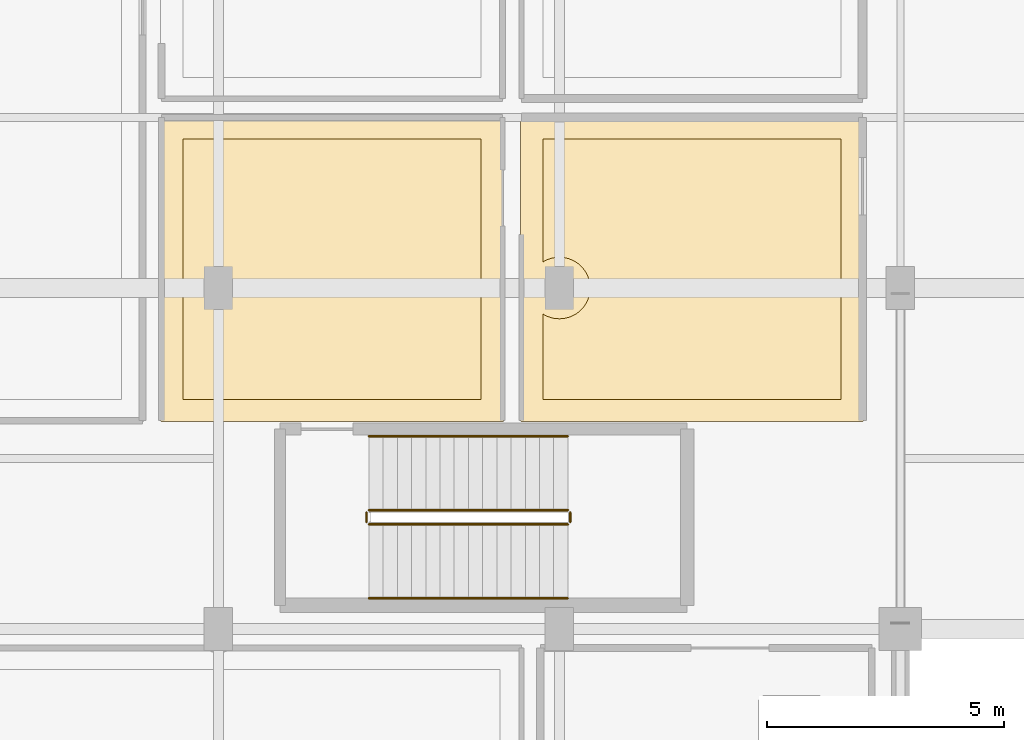
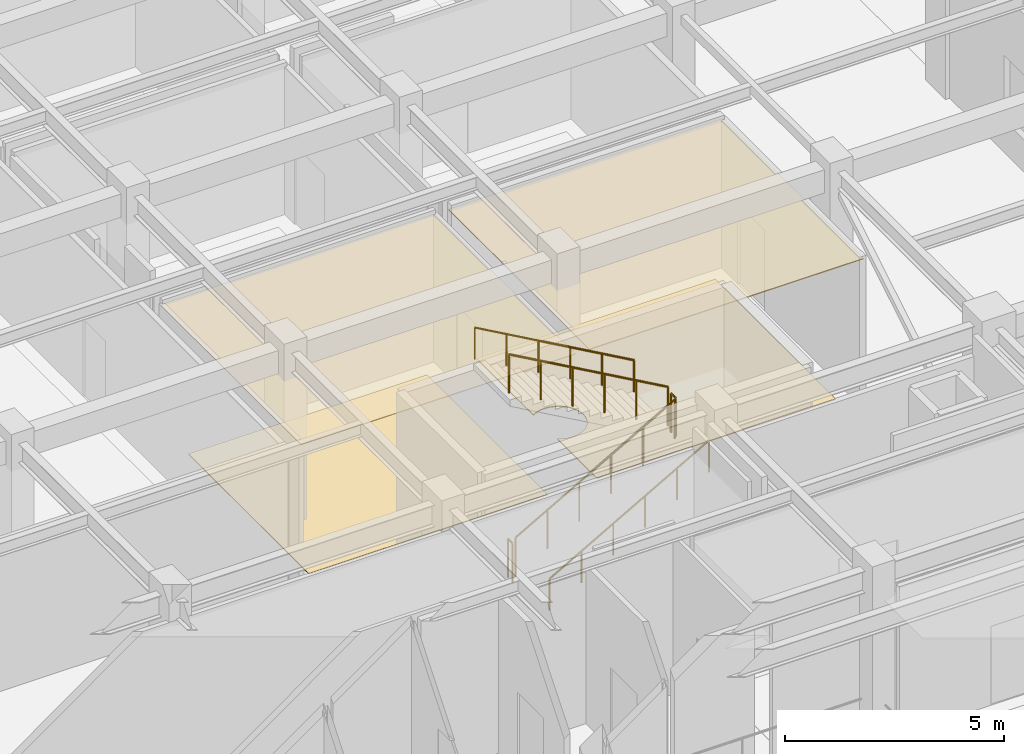
# One storey, part 104 of 117: 6 railings, 4 coverings.
"""IFC4 building model written with IfcOpenShell, lengths in metres."""

from ifc_helpers import new_model, si_unit, direction, frame, origin, origin_2d, place, context, subcontext, project, spatial, polyline, circle, outline, extrude, material, layer, layer_set, type_object, element, save


model = new_model("IFC4")

# Units and contexts
model_context = context("Model", 3, precision=1e-05, world=origin(), true_north=direction((0.0, 1.0)))
body_context = subcontext(model_context, "Body", "Model", "MODEL_VIEW")
ifc_project = project(units=[si_unit("LENGTHUNIT", "METRE"), si_unit("AREAUNIT", "SQUARE_METRE"), si_unit("VOLUMEUNIT", "CUBIC_METRE"), si_unit("PLANEANGLEUNIT", "RADIAN"), si_unit("MASSUNIT", "GRAM", prefix="KILO")], contexts=[model_context])

# Site, building, storey
site_placement = place(None, origin())
site = spatial("IfcSite", under=ifc_project, at=site_placement, CompositionType="ELEMENT")
building_placement = place(site_placement, origin())
building = spatial("IfcBuilding", under=site, at=building_placement, Name="Carrowvane Square Congress Hotel", CompositionType="ELEMENT")
storey_placement = place(building_placement, frame((0.0, 0.0, 5.39990234375)))
storey = spatial("IfcBuildingStorey", under=building, at=storey_placement, Name="L01", CompositionType="ELEMENT", Elevation=5.39990234375)

# Coverings
ifc_material_1 = material(Name="Acoustic gypsum board", Category="gypsum")
ifc_layer_1 = layer(ifc_material_1, 0.02001953125)
ifc_layer_set_1 = layer_set([ifc_layer_1], Name="Acoustic gypsum board")
covering_type_1 = type_object("IfcCoveringType", Name="COV-CLG-AC20", PredefinedType="CEILING", material=ifc_layer_set_1)
covering_1_placement = place(storey_placement, frame((0.0, 0.0, 4.045166015625)))
element("IfcCovering", 1, at=covering_1_placement, inside=storey, type_object=covering_type_1, Name="L01 Thermal Treatment Suite 101 acoustic ceiling", PredefinedType="CEILING", context=body_context, shape_type="SweptSolid", body=[
    extrude(outline(polyline([(46.380126953125, 66.60205078125), (46.38037109375, 66.60400390625), (46.380859375, 66.605712890625), (46.381591796875, 66.607666015625), (46.38232421875, 66.609375), (46.38330078125, 66.611083984375), (46.384521484375, 66.61279296875), (46.385986328125, 66.614013671875), (46.38720703125, 66.615478515625), (46.388916015625, 66.61669921875), (46.390625, 66.61767578125), (46.392333984375, 66.618408203125), (46.394287109375, 66.619140625), (46.39599609375, 66.61962890625), (46.39794921875, 66.619873046875), (46.39990234375, 66.6201171875), (53.60009765625, 66.6201171875), (53.60205078125, 66.619873046875), (53.60400390625, 66.61962890625), (53.605712890625, 66.619140625), (53.607666015625, 66.618408203125), (53.609375, 66.61767578125), (53.611083984375, 66.61669921875), (53.61279296875, 66.615478515625), (53.614013671875, 66.614013671875), (53.615478515625, 66.61279296875), (53.61669921875, 66.611083984375), (53.61767578125, 66.609375), (53.618408203125, 66.607666015625), (53.619140625, 66.605712890625), (53.61962890625, 66.60400390625), (53.619873046875, 66.60205078125), (53.6201171875, 66.60009765625), (53.6201171875, 60.199951171875), (53.619873046875, 60.197998046875), (53.61962890625, 60.196044921875), (53.619140625, 60.194091796875), (53.618408203125, 60.1923828125), (53.61767578125, 60.190673828125), (53.61669921875, 60.18896484375), (53.615478515625, 60.187255859375), (53.614013671875, 60.185791015625), (53.61279296875, 60.1845703125), (53.611083984375, 60.183349609375), (53.609375, 60.182373046875), (53.607666015625, 60.181396484375), (53.605712890625, 60.180908203125), (53.60400390625, 60.180419921875), (53.60205078125, 60.18017578125), (53.60009765625, 60.179931640625), (46.39990234375, 60.179931640625), (46.39794921875, 60.18017578125), (46.39599609375, 60.180419921875), (46.394287109375, 60.180908203125), (46.392333984375, 60.181396484375), (46.390625, 60.182373046875), (46.388916015625, 60.183349609375), (46.38720703125, 60.1845703125), (46.385986328125, 60.185791015625), (46.384521484375, 60.187255859375), (46.38330078125, 60.18896484375), (46.38232421875, 60.190673828125), (46.381591796875, 60.1923828125), (46.380859375, 60.194091796875), (46.38037109375, 60.196044921875), (46.380126953125, 60.197998046875), (46.3798828125, 60.199951171875), (46.3798828125, 66.60009765625), (46.380126953125, 66.60205078125)])), origin(), (0.0, 0.0, 1.0), 0.02001953125),
])
ifc_material_2 = material(Name="European oak timber", Category="wood")
ifc_layer_2 = layer(ifc_material_2, 0.02490234375)
ifc_layer_set_2 = layer_set([ifc_layer_2], Name="European oak timber")
covering_type_2 = type_object("IfcCoveringType", Name="COV-CLG-WD25", PredefinedType="CEILING", material=ifc_layer_set_2)
covering_2_placement = place(storey_placement, frame((0.0, 0.0, 4.0400390625)))
element("IfcCovering", 2, at=covering_2_placement, inside=storey, type_object=covering_type_2, Name="L01 Thermal Treatment Suite 102 acoustic ceiling", PredefinedType="CEILING", context=body_context, shape_type="SweptSolid", body=[
    extrude(outline(polyline([(53.97998046875, 66.60205078125), (53.98046875, 66.60400390625), (53.98095703125, 66.605712890625), (53.9814453125, 66.607666015625), (53.982421875, 66.609375), (53.9833984375, 66.611083984375), (53.984619140625, 66.61279296875), (53.98583984375, 66.614013671875), (53.9873046875, 66.615478515625), (53.989013671875, 66.61669921875), (53.990478515625, 66.61767578125), (53.9921875, 66.618408203125), (53.994140625, 66.619140625), (53.99609375, 66.61962890625), (53.998046875, 66.619873046875), (54.0, 66.6201171875), (61.199951171875, 66.6201171875), (61.201904296875, 66.619873046875), (61.203857421875, 66.61962890625), (61.205810546875, 66.619140625), (61.207763671875, 66.618408203125), (61.20947265625, 66.61767578125), (61.211181640625, 66.61669921875), (61.212646484375, 66.615478515625), (61.214111328125, 66.614013671875), (61.215576171875, 66.61279296875), (61.216552734375, 66.611083984375), (61.217529296875, 66.609375), (61.218505859375, 66.607666015625), (61.218994140625, 66.605712890625), (61.219482421875, 66.60400390625), (61.219970703125, 66.60205078125), (61.219970703125, 66.60009765625), (61.219970703125, 60.199951171875), (61.219970703125, 60.197998046875), (61.219482421875, 60.196044921875), (61.218994140625, 60.194091796875), (61.218505859375, 60.1923828125), (61.217529296875, 60.190673828125), (61.216552734375, 60.18896484375), (61.215576171875, 60.187255859375), (61.214111328125, 60.185791015625), (61.212646484375, 60.1845703125), (61.211181640625, 60.183349609375), (61.20947265625, 60.182373046875), (61.207763671875, 60.181396484375), (61.205810546875, 60.180908203125), (61.203857421875, 60.180419921875), (61.201904296875, 60.18017578125), (61.199951171875, 60.179931640625), (54.0, 60.179931640625), (53.998046875, 60.18017578125), (53.99609375, 60.180419921875), (53.994140625, 60.180908203125), (53.9921875, 60.181396484375), (53.990478515625, 60.182373046875), (53.989013671875, 60.183349609375), (53.9873046875, 60.1845703125), (53.98583984375, 60.185791015625), (53.984619140625, 60.187255859375), (53.9833984375, 60.18896484375), (53.982421875, 60.190673828125), (53.9814453125, 60.1923828125), (53.98095703125, 60.194091796875), (53.98046875, 60.196044921875), (53.97998046875, 60.197998046875), (53.97998046875, 60.199951171875), (53.97998046875, 66.60009765625), (53.97998046875, 66.60205078125)])), origin(), (0.0, 0.0, 1.0), 0.025146484375),
])
ifc_material_3 = material(Name="Portland limestone cladding", Category="masonry")
ifc_layer_3 = layer(ifc_material_3, 0.02587890625)
ifc_layer_set_3 = layer_set([ifc_layer_3], Name="Portland limestone cladding")
covering_type_3 = type_object("IfcCoveringType", Name="COV-FLR-STN26", PredefinedType="FLOORING", material=ifc_layer_set_3)
covering_3_placement = place(storey_placement, origin())
element("IfcCovering", 3, at=covering_3_placement, inside=storey, type_object=covering_type_3, Name="L01 Thermal Treatment Suite 102 floor finish", PredefinedType="FLOORING", context=body_context, shape_type="SweptSolid", body=[
    extrude(outline(polyline([(55.373291015625, 62.693603515625), (55.400390625, 62.751220703125), (55.422119140625, 62.811279296875), (55.4375, 62.873291015625), (55.447021484375, 62.936279296875), (55.449951171875, 63.0), (55.447021484375, 63.063720703125), (55.4375, 63.126708984375), (55.422119140625, 63.188720703125), (55.400390625, 63.248779296875), (55.373291015625, 63.306396484375), (55.340576171875, 63.361083984375), (55.302490234375, 63.412353515625), (55.259521484375, 63.459716796875), (55.21240234375, 63.50244140625), (55.1611328125, 63.54052734375), (55.1064453125, 63.5732421875), (55.048583984375, 63.6005859375), (54.98876953125, 63.6220703125), (54.9267578125, 63.637451171875), (54.86376953125, 63.64697265625), (54.800048828125, 63.64990234375), (54.736328125, 63.64697265625), (54.673095703125, 63.637451171875), (54.611328125, 63.6220703125), (54.55126953125, 63.6005859375), (54.49365234375, 63.5732421875), (54.449951171875, 63.547119140625), (54.449951171875, 66.14990234375), (60.75, 66.14990234375), (60.75, 60.64990234375), (54.449951171875, 60.64990234375), (54.449951171875, 62.452880859375), (54.49365234375, 62.4267578125), (54.55126953125, 62.3994140625), (54.611328125, 62.3779296875), (54.673095703125, 62.362548828125), (54.736328125, 62.35302734375), (54.800048828125, 62.35009765625), (54.86376953125, 62.35302734375), (54.9267578125, 62.362548828125), (54.98876953125, 62.3779296875), (55.048583984375, 62.3994140625), (55.1064453125, 62.4267578125), (55.1611328125, 62.45947265625), (55.21240234375, 62.49755859375), (55.259521484375, 62.540283203125), (55.302490234375, 62.587646484375), (55.340576171875, 62.638916015625), (55.373291015625, 62.693603515625)])), origin(), (0.0, 0.0, 1.0), 0.026123046875),
])
ifc_material_4 = material(Name="Ceramic porcelain tile", Category="stone")
ifc_layer_4 = layer(ifc_material_4, 0.02197265625)
ifc_layer_set_4 = layer_set([ifc_layer_4], Name="Ceramic porcelain tile")
covering_type_4 = type_object("IfcCoveringType", Name="COV-FLR-TRZ22", PredefinedType="FLOORING", material=ifc_layer_set_4)
covering_4_placement = place(storey_placement, origin())
element("IfcCovering", 4, at=covering_4_placement, inside=storey, type_object=covering_type_4, Name="L01 Thermal Treatment Suite 101 floor finish", PredefinedType="FLOORING", context=body_context, shape_type="SweptSolid", body=[
    extrude(outline(polyline([(53.14990234375, 66.14990234375), (53.14990234375, 60.64990234375), (46.85009765625, 60.64990234375), (46.85009765625, 66.14990234375), (53.14990234375, 66.14990234375)])), origin(), (0.0, 0.0, 1.0), 0.022216796875),
])

# Railings
ifc_material_5 = material(Name="Stainless steel 316", Category="steel")
ifc_layer_5 = layer(ifc_material_5, 0.048095703125)
ifc_layer_set_5 = layer_set([ifc_layer_5], Name="Stainless steel 316")
railing_type_1 = type_object("IfcRailingType", Name="RLG-HR-900", PredefinedType="HANDRAIL", material=ifc_layer_set_5)
railing_1_placement = place(storey_placement, frame((50.780029296875, 56.449951171875, 0.170166015625)))
element("IfcRailing", 5, at=railing_1_placement, inside=storey, type_object=railing_type_1, Name="L01 ST7 stair handrail 1", PredefinedType="HANDRAIL", context=body_context, shape_type="SweptSolid", body=[
    extrude(circle(Radius=0.02392578125, at=origin_2d()), frame((0.0, 0.0, 0.8759765625), z_axis=(0.870030139814, 0.0, 0.492998535308), x_axis=(0.0, 1.0, 0.0)), (0.0, 0.0, 1.0), 4.827392578125),
    extrude(circle(Radius=0.02099609375, at=origin_2d()), origin(), (0.0, 0.0, 1.0), 0.851806640625),
    extrude(circle(Radius=0.02099609375, at=origin_2d()), frame((0.840087890625, 0.0, 0.47607421875)), (0.0, 0.0, 1.0), 0.851806640625),
    extrude(circle(Radius=0.02099609375, at=origin_2d()), frame((1.679931640625, 0.0, 0.951904296875)), (0.0, 0.0, 1.0), 0.851806640625),
    extrude(circle(Radius=0.02099609375, at=origin_2d()), frame((2.52001953125, 0.0, 1.427978515625)), (0.0, 0.0, 1.0), 0.851806640625),
    extrude(circle(Radius=0.02099609375, at=origin_2d()), frame((3.35986328125, 0.0, 1.90380859375)), (0.0, 0.0, 1.0), 0.851806640625),
    extrude(circle(Radius=0.02099609375, at=origin_2d()), frame((4.199951171875, 0.0, 2.3798828125)), (0.0, 0.0, 1.0), 0.851806640625),
])
railing_2_placement = place(storey_placement, frame((54.97998046875, 59.8701171875, 2.72021484375)))
element("IfcRailing", 6, at=railing_2_placement, inside=storey, type_object=railing_type_1, Name="L01 ST7 stair handrail 2", PredefinedType="HANDRAIL", context=body_context, shape_type="SweptSolid", body=[
    extrude(circle(Radius=0.02392578125, at=origin_2d()), frame((0.0, 0.0, 0.8759765625), z_axis=(-0.870030139814, 0.0, 0.492998535308), x_axis=(0.0, -1.0, 0.0)), (0.0, 0.0, 1.0), 4.827392578125),
    extrude(circle(Radius=0.02099609375, at=origin_2d()), origin(), (0.0, 0.0, 1.0), 0.851806640625),
    extrude(circle(Radius=0.02099609375, at=origin_2d()), frame((-0.840087890625, 0.0, 0.47607421875)), (0.0, 0.0, 1.0), 0.851806640625),
    extrude(circle(Radius=0.02099609375, at=origin_2d()), frame((-1.679931640625, 0.0, 0.951904296875)), (0.0, 0.0, 1.0), 0.851806640625),
    extrude(circle(Radius=0.02099609375, at=origin_2d()), frame((-2.52001953125, 0.0, 1.427978515625)), (0.0, 0.0, 1.0), 0.851806640625),
    extrude(circle(Radius=0.02099609375, at=origin_2d()), frame((-3.35986328125, 0.0, 1.90380859375)), (0.0, 0.0, 1.0), 0.851806640625),
    extrude(circle(Radius=0.02099609375, at=origin_2d()), frame((-4.199951171875, 0.0, 2.3798828125)), (0.0, 0.0, 1.0), 0.851806640625),
])
ifc_material_6 = material(Name="Galvanised steel", Category="steel")
ifc_layer_6 = layer(ifc_material_6, 0.048095703125)
ifc_layer_set_6 = layer_set([ifc_layer_6], Name="Galvanised steel")
railing_type_2 = type_object("IfcRailingType", Name="RLG-STG-1100", PredefinedType="GUARDRAIL", material=ifc_layer_set_6)
railing_3_placement = place(storey_placement, frame((50.780029296875, 58.010009765625, 0.170166015625)))
element("IfcRailing", 7, at=railing_3_placement, inside=storey, type_object=railing_type_2, Name="L01 ST7 stair guard 1", PredefinedType="GUARDRAIL", context=body_context, shape_type="SweptSolid", body=[
    extrude(circle(Radius=0.02392578125, at=origin_2d()), frame((0.0, 0.0, 1.076171875), z_axis=(0.870030139814, 0.0, 0.492998535308), x_axis=(0.0, 1.0, 0.0)), (0.0, 0.0, 1.0), 4.827392578125),
    extrude(circle(Radius=0.02099609375, at=origin_2d()), origin(), (0.0, 0.0, 1.0), 1.052001953125),
    extrude(circle(Radius=0.02099609375, at=origin_2d()), frame((0.840087890625, 0.0, 0.47607421875)), (0.0, 0.0, 1.0), 1.052001953125),
    extrude(circle(Radius=0.02099609375, at=origin_2d()), frame((1.679931640625, 0.0, 0.951904296875)), (0.0, 0.0, 1.0), 1.052001953125),
    extrude(circle(Radius=0.02099609375, at=origin_2d()), frame((2.52001953125, 0.0, 1.427978515625)), (0.0, 0.0, 1.0), 1.052001953125),
    extrude(circle(Radius=0.02099609375, at=origin_2d()), frame((3.35986328125, 0.0, 1.90380859375)), (0.0, 0.0, 1.0), 1.052001953125),
    extrude(circle(Radius=0.02099609375, at=origin_2d()), frame((4.199951171875, 0.0, 2.3798828125)), (0.0, 0.0, 1.0), 1.052001953125),
])
railing_4_placement = place(storey_placement, frame((55.030029296875, 58.06005859375, 2.550048828125)))
element("IfcRailing", 8, at=railing_4_placement, inside=storey, type_object=railing_type_2, Name="L01 ST7 stair guard 2", PredefinedType="GUARDRAIL", context=body_context, shape_type="SweptSolid", body=[
    extrude(circle(Radius=0.02392578125, at=origin_2d()), frame((0.0, 0.0, 1.076171875), z_axis=(0.0, 1.0, 0.0), x_axis=(-1.0, 0.0, 0.0)), (0.0, 0.0, 1.0), 0.199951171875),
    extrude(circle(Radius=0.02099609375, at=origin_2d()), origin(), (0.0, 0.0, 1.0), 1.052001953125),
    extrude(circle(Radius=0.02099609375, at=origin_2d()), frame((0.0, 0.199951171875, 0.0)), (0.0, 0.0, 1.0), 1.052001953125),
])
railing_5_placement = place(storey_placement, frame((54.97998046875, 58.31005859375, 2.72021484375)))
element("IfcRailing", 9, at=railing_5_placement, inside=storey, type_object=railing_type_2, Name="L01 ST7 stair guard 3", PredefinedType="GUARDRAIL", context=body_context, shape_type="SweptSolid", body=[
    extrude(circle(Radius=0.02392578125, at=origin_2d()), frame((0.0, 0.0, 1.076171875), z_axis=(-0.870030139814, 0.0, 0.492998535308), x_axis=(0.0, -1.0, 0.0)), (0.0, 0.0, 1.0), 4.827392578125),
    extrude(circle(Radius=0.02099609375, at=origin_2d()), origin(), (0.0, 0.0, 1.0), 1.052001953125),
    extrude(circle(Radius=0.02099609375, at=origin_2d()), frame((-0.840087890625, 0.0, 0.47607421875)), (0.0, 0.0, 1.0), 1.052001953125),
    extrude(circle(Radius=0.02099609375, at=origin_2d()), frame((-1.679931640625, 0.0, 0.951904296875)), (0.0, 0.0, 1.0), 1.052001953125),
    extrude(circle(Radius=0.02099609375, at=origin_2d()), frame((-2.52001953125, 0.0, 1.427978515625)), (0.0, 0.0, 1.0), 1.052001953125),
    extrude(circle(Radius=0.02099609375, at=origin_2d()), frame((-3.35986328125, 0.0, 1.90380859375)), (0.0, 0.0, 1.0), 1.052001953125),
    extrude(circle(Radius=0.02099609375, at=origin_2d()), frame((-4.199951171875, 0.0, 2.3798828125)), (0.0, 0.0, 1.0), 1.052001953125),
])
railing_6_placement = place(storey_placement, frame((50.72998046875, 58.06005859375, 0.0)))
element("IfcRailing", 10, at=railing_6_placement, inside=storey, type_object=railing_type_2, Name="L01 ST7 stair guard 4", PredefinedType="GUARDRAIL", context=body_context, shape_type="SweptSolid", body=[
    extrude(circle(Radius=0.02392578125, at=origin_2d()), frame((0.0, 0.0, 1.076171875), z_axis=(0.0, 1.0, 0.0), x_axis=(-1.0, 0.0, 0.0)), (0.0, 0.0, 1.0), 0.199951171875),
    extrude(circle(Radius=0.02099609375, at=origin_2d()), origin(), (0.0, 0.0, 1.0), 1.052001953125),
    extrude(circle(Radius=0.02099609375, at=origin_2d()), frame((0.0, 0.199951171875, 0.0)), (0.0, 0.0, 1.0), 1.052001953125),
])

save(model, "model.ifc")
